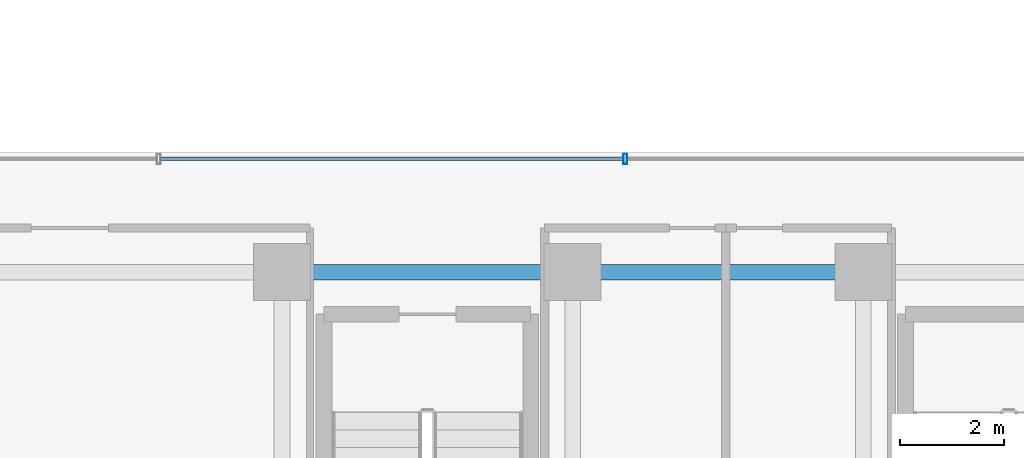
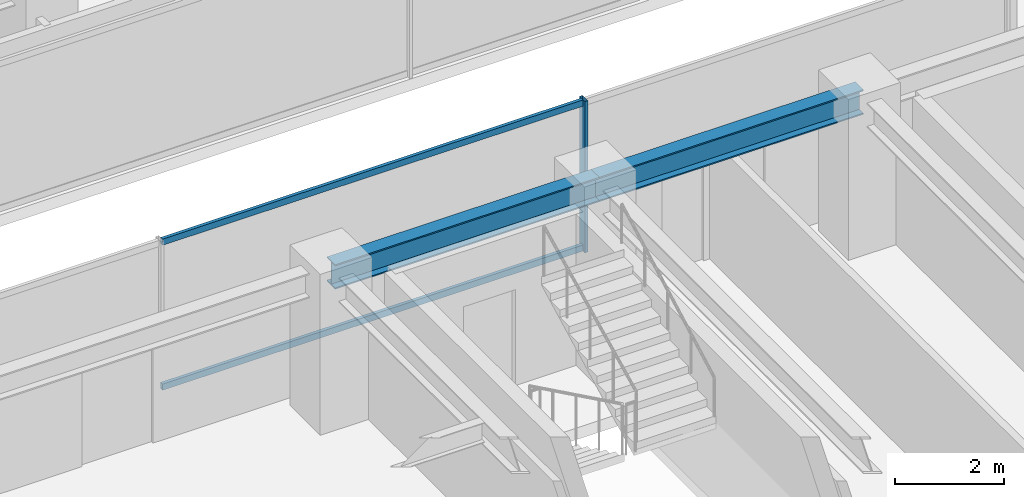
# One storey, part 9 of 36: 3 members, 2 beams, 1 element without a shape of its own.
"""IFC4 building model written with IfcOpenShell, lengths in metres."""

from ifc_helpers import new_model, si_unit, direction, frame, origin, origin_2d, place, context, subcontext, project, spatial, hollow_rectangle, i_section, extrude, source, transform, mapped, material, material_profile, profile_set, type_object, element, aggregate, save


model = new_model("IFC4")

# Units and contexts
model_context = context("Model", 3, precision=1e-05, world=origin(), true_north=direction((0.0, 1.0)))
body_context = subcontext(model_context, "Body", "Model", "MODEL_VIEW")
ifc_project = project(units=[si_unit("LENGTHUNIT", "METRE"), si_unit("AREAUNIT", "SQUARE_METRE"), si_unit("VOLUMEUNIT", "CUBIC_METRE"), si_unit("PLANEANGLEUNIT", "RADIAN"), si_unit("MASSUNIT", "GRAM", prefix="KILO")], contexts=[model_context])

# Site, building, storey
site_placement = place(None, origin())
site = spatial("IfcSite", under=ifc_project, at=site_placement, CompositionType="ELEMENT")
building_placement = place(site_placement, origin())
building = spatial("IfcBuilding", under=site, at=building_placement, Name="Nahalor Promenade Grand Hotel", CompositionType="ELEMENT")
storey_placement = place(building_placement, frame((0.0, 0.0, 170.89990234375)))
storey = spatial("IfcBuildingStorey", under=building, at=storey_placement, Name="L43", CompositionType="ELEMENT", Elevation=170.89990234375)

# Beams
ifc_material_1 = material(Name="Steel S355JR", Category="steel")
ifc_material_profile_1 = material_profile(ifc_material_1, i_section(OverallWidth=0.3, OverallDepth=0.55, WebThickness=0.015, FlangeThickness=0.029, at=origin_2d()), Name="HEB 550")
ifc_profile_set_1 = profile_set([ifc_material_profile_1], Name="Steel S355JR")
beam_type = type_object("IfcBeamType", Name="Beam-Girder-HEB550", PredefinedType="BEAM", material=ifc_profile_set_1)
shared_shape_1 = source(origin(), body_context, "Body", "SweptSolid", [
    extrude(i_section(OverallWidth=0.3, OverallDepth=0.55, WebThickness=0.015, FlangeThickness=0.029, at=origin_2d()), origin(), (0.0, 0.0, 1.0), 5.599853515625),
])
beam_1_placement = place(storey_placement, frame((-8.39990234375, -5.39990234375, 3.114990234375), z_axis=(1.0, 0.0, 0.0), x_axis=(0.0, 1.0, 0.0)))
element("IfcBeam", 1, at=beam_1_placement, inside=storey, type_object=beam_type, Name="BM-L43-GX-1-2", PredefinedType="BEAM", context=body_context, shape_type="MappedRepresentation", body=[
    mapped(shared_shape_1, transform((0.0, 0.0, 0.0), scale=1.0)),
])
shared_shape_2 = source(origin(), body_context, "Body", "SweptSolid", [
    extrude(i_section(OverallWidth=0.3, OverallDepth=0.55, WebThickness=0.015, FlangeThickness=0.029, at=origin_2d()), origin(), (0.0, 0.0, 1.0), 5.60009765625),
])
beam_2_placement = place(storey_placement, frame((-2.800048828125, -5.39990234375, 3.114990234375), z_axis=(1.0, 0.0, 0.0), x_axis=(0.0, 1.0, 0.0)))
element("IfcBeam", 2, at=beam_2_placement, inside=storey, type_object=beam_type, Name="BM-L43-GX-1-3", PredefinedType="BEAM", context=body_context, shape_type="MappedRepresentation", body=[
    mapped(shared_shape_2, transform((0.0, 0.0, 0.0), scale=1.0)),
])

# Curtain wall, members
ifc_material_2 = material(Name="Anodised Bronze Aluminium EN AW-6063 T6", Category="aluminium")
curtain_wall_type = type_object("IfcCurtainWallType", Name="CW3 Elliptical-Void Collar Unitised Curtain Wall", PredefinedType="USERDEFINED", material=ifc_material_2)
curtain_wall_placement = place(storey_placement, origin())
curtain_wall = element("IfcCurtainWall", 3, at=curtain_wall_placement, inside=storey, type_object=curtain_wall_type, Name="L43 Curtain Wall CW-L43-VOID-WS1", ObjectType="UNITISED_CURTAIN_WALL", PredefinedType="USERDEFINED")
ifc_material_profile_2 = material_profile(ifc_material_2, hollow_rectangle(XDim=0.07, YDim=0.2, WallThickness=0.005, at=origin_2d()), Name="CWM 70x200x5")
ifc_profile_set_2 = profile_set([ifc_material_profile_2], Name="Anodised Bronze Aluminium EN AW-6063 T6")
member_type_1 = type_object("IfcMemberType", Name="CWM3 Void Collar Mullion 70x200", PredefinedType="MULLION", material=ifc_profile_set_2)
shared_shape_3 = source(origin(), body_context, "Body", "SweptSolid", [
    extrude(hollow_rectangle(XDim=0.07, YDim=0.2, WallThickness=0.005, at=origin_2d()), origin(), (0.0, 0.0, 1.0), 3.39013671875),
])
member_1_placement = place(storey_placement, frame((-1.78662109375, -3.219970703125, 0.0), z_axis=(0.0, 0.0, 1.0), x_axis=(1.0, 0.0, 0.0)))
member_1 = element("IfcMember", 4, at=member_1_placement, type_object=member_type_1, Name="CW-L43-VOID-WS1 Mullion 2", PredefinedType="MULLION", context=body_context, shape_type="MappedRepresentation", body=[
    mapped(shared_shape_3, transform((0.0, 0.0, 0.0), scale=1.0)),
])
ifc_material_profile_3 = material_profile(ifc_material_2, hollow_rectangle(XDim=0.07, YDim=0.14, WallThickness=0.004, at=origin_2d()), Name="CWT 70x140x4")
ifc_profile_set_3 = profile_set([ifc_material_profile_3], Name="Anodised Bronze Aluminium EN AW-6063 T6")
member_type_2 = type_object("IfcMemberType", Name="CWT3 Void Collar Transom 70x140", PredefinedType="USERDEFINED", material=ifc_profile_set_3)
shared_shape_4 = source(origin(), body_context, "Body", "SweptSolid", [
    extrude(hollow_rectangle(XDim=0.07, YDim=0.14, WallThickness=0.004, at=origin_2d()), origin(), (0.0, 0.0, 1.0), 8.91650390625),
])
member_2_placement = place(storey_placement, frame((-10.73828125, -3.219970703125, 0.070068359375), z_axis=(1.0, 0.0, 0.0), x_axis=(0.0, 1.0, 0.0)))
member_2 = element("IfcMember", 5, at=member_2_placement, type_object=member_type_2, Name="CW-L43-VOID-WS1 Transom 1-0", ObjectType="TRANSOM", PredefinedType="USERDEFINED", context=body_context, shape_type="MappedRepresentation", body=[
    mapped(shared_shape_4, transform((0.0, 0.0, 0.0), scale=1.0)),
])
member_3_placement = place(storey_placement, frame((-10.73828125, -3.219970703125, 3.320068359375), z_axis=(1.0, 0.0, 0.0), x_axis=(0.0, 1.0, 0.0)))
member_3 = element("IfcMember", 6, at=member_3_placement, type_object=member_type_2, Name="CW-L43-VOID-WS1 Transom 1-1", ObjectType="TRANSOM", PredefinedType="USERDEFINED", context=body_context, shape_type="MappedRepresentation", body=[
    mapped(shared_shape_4, transform((0.0, 0.0, 0.0), scale=1.0)),
])
aggregate(curtain_wall, [member_1, member_2, member_3])

save(model, "model.ifc")
